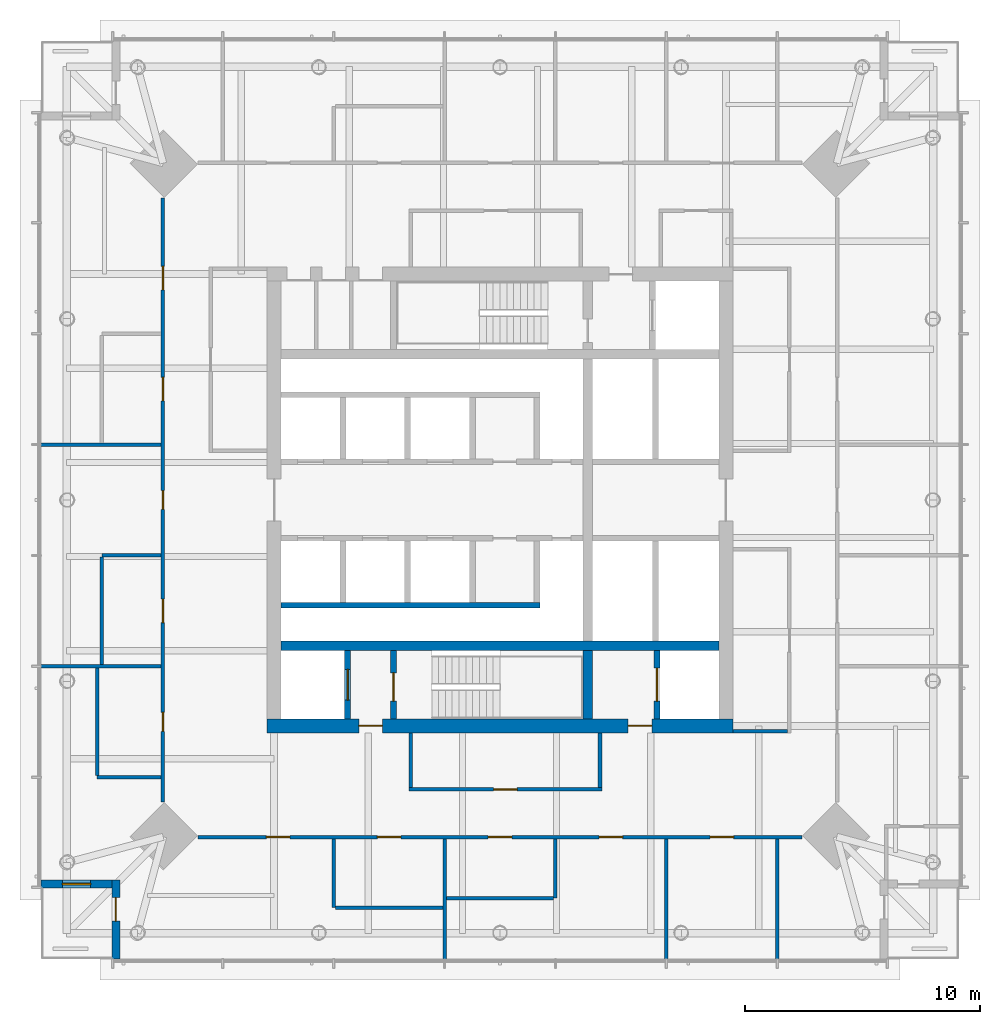
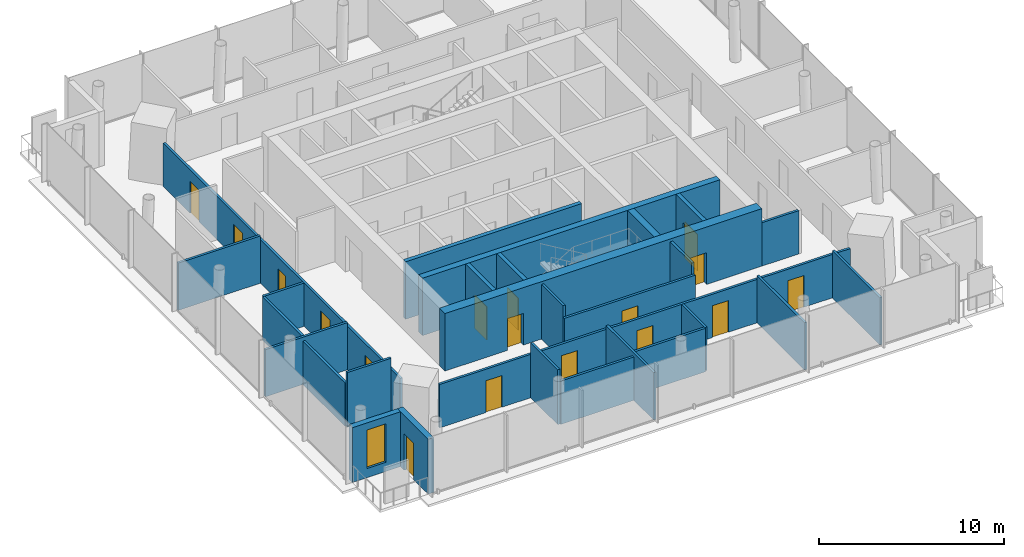
# One storey, part 4 of 11: 28 walls, 17 doors, 1 window, 18 openings.
"""IFC4 building model written with IfcOpenShell, lengths in metres."""

from ifc_helpers import new_model, si_unit, direction, frame, frame_2d, origin, place, context, subcontext, project, spatial, rectangle, extrude, material, layer, layer_set, type_object, element, fill, save


model = new_model("IFC4")

# Units and contexts
model_context = context("Model", 3, precision=1e-05, world=origin(), true_north=direction((0.0, 1.0)))
body_context = subcontext(model_context, "Body", "Model", "MODEL_VIEW")
ifc_project = project(units=[si_unit("LENGTHUNIT", "METRE"), si_unit("AREAUNIT", "SQUARE_METRE"), si_unit("VOLUMEUNIT", "CUBIC_METRE"), si_unit("PLANEANGLEUNIT", "RADIAN"), si_unit("MASSUNIT", "GRAM", prefix="KILO")], contexts=[model_context])

# Site, building, storey
site_placement = place(None, origin())
site = spatial("IfcSite", under=ifc_project, at=site_placement, CompositionType="ELEMENT")
building_placement = place(site_placement, origin())
building = spatial("IfcBuilding", under=site, at=building_placement, Name="Ostroluk Exchange", CompositionType="ELEMENT")
storey_placement = place(building_placement, frame((0.0, 0.0, 195.800048828125)))
storey = spatial("IfcBuildingStorey", under=building, at=storey_placement, Name="L50", CompositionType="ELEMENT", Elevation=195.800048828125)

# Walls
ifc_material_1 = material(Name="Concrete C50/60", Category="concrete")
ifc_layer_1 = layer(ifc_material_1, 0.39990234375)
ifc_layer_set_1 = layer_set([ifc_layer_1], Name="Core cross wall 400 C50/60")
wall_type_1 = type_object("IfcWallType", Name="Core cross wall 400 C50/60", PredefinedType="SHEAR", material=ifc_layer_set_1)
wall_1_placement = place(storey_placement, frame((35.699951171875, 39.800048828125, 0.0), z_axis=(0.0, 0.0, 1.0), x_axis=(1.0, 0.0, 0.0)))
element("IfcWall", 1, at=wall_1_placement, inside=storey, type_object=wall_type_1, Name="T1 core wall XS", PredefinedType="SHEAR", context=body_context, shape_type="SweptSolid", body=[
    extrude(rectangle(XDim=18.60009765625, YDim=0.39990234375, at=frame_2d((9.300048828125, 0.0))), origin(), (0.0, 0.0, 1.0), 3.800048828125),
])
wall_2_placement = place(storey_placement, frame((48.72998046875, 36.699951171875, 0.0), z_axis=(0.0, 0.0, 1.0), x_axis=(0.0, 1.0, 0.0)))
element("IfcWall", 2, at=wall_2_placement, inside=storey, type_object=wall_type_1, Name="T1 core wall YE1", PredefinedType="SHEAR", context=body_context, shape_type="SweptSolid", body=[
    extrude(rectangle(XDim=2.900146484375, YDim=0.39990234375, at=frame_2d((1.4501953125, 0.0))), origin(), (0.0, 0.0, 1.0), 3.800048828125),
])

# Wall, opening, door
ifc_material_2 = material(Name="Concrete C40/50", Category="concrete")
ifc_layer_2 = layer(ifc_material_2, 0.25)
ifc_layer_set_2 = layer_set([ifc_layer_2], Name="Core shaft wall 250")
wall_type_2 = type_object("IfcWallType", Name="Core shaft wall 250", PredefinedType="SHEAR", material=ifc_layer_set_2)
wall_3_placement = place(storey_placement, frame((38.52490234375, 36.699951171875, 0.0), z_axis=(0.0, 0.0, 1.0), x_axis=(0.0, 1.0, 0.0)))
wall_3 = element("IfcWall", 3, at=wall_3_placement, inside=storey, type_object=wall_type_2, Name="Firefighting lift shaft wall", PredefinedType="SHEAR", context=body_context, shape_type="SweptSolid", body=[
    extrude(rectangle(XDim=2.900146484375, YDim=0.25, at=frame_2d((1.4501953125, 0.0))), origin(), (0.0, 0.0, 1.0), 3.800048828125),
])
opening_1_placement = place(wall_3_placement, frame((0.800048828125, 0.0, 0.0)))
opening_1 = element("IfcOpeningElement", 4, at=opening_1_placement, cuts=wall_3, Name="Opening LD2", PredefinedType="OPENING", context=body_context, shape_type="SweptSolid", body=[
    extrude(rectangle(XDim=1.300048828125, YDim=2.199951171875, at=frame_2d((0.64990234375, 1.10009765625))), frame((0.0, 0.135009765625, 0.0), z_axis=(0.0, -1.0, 0.0), x_axis=(1.0, 0.0, 0.0)), (0.0, 0.0, 1.0), 0.27001953125),
])
ifc_material_3 = material(Name="Stainless steel", Category="steel")
door_type_1 = type_object("IfcDoorType", Name="Lift landing door E 60 1300 x 2200", OperationType="DOUBLE_DOOR_SLIDING", PredefinedType="DOOR", material=ifc_material_3)
door_1_placement = place(opening_1_placement, origin())
door_1 = element("IfcDoor", 5, at=door_1_placement, inside=storey, type_object=door_type_1, Name="Lift FL1 landing door", OperationType="DOUBLE_DOOR_SLIDING", OverallHeight=2.199951171875, OverallWidth=1.300048828125, PredefinedType="DOOR", context=body_context, shape_type="SweptSolid", body=[
    extrude(rectangle(XDim=1.300048828125, YDim=2.199951171875, at=frame_2d((0.64990234375, 1.10009765625))), frame((0.0, 0.02490234375, 0.0), z_axis=(0.0, -1.0, 0.0), x_axis=(1.0, 0.0, 0.0)), (0.0, 0.0, 1.0), 0.050048828125),
])
fill(opening_1, door_1)

wall_4_placement = place(storey_placement, frame((40.47509765625, 36.699951171875, 0.0), z_axis=(0.0, 0.0, 1.0), x_axis=(0.0, 1.0, 0.0)))
wall_4 = element("IfcWall", 6, at=wall_4_placement, inside=storey, type_object=wall_type_2, Name="Stair shaft wall", PredefinedType="SHEAR", context=body_context, shape_type="SweptSolid", body=[
    extrude(rectangle(XDim=2.900146484375, YDim=0.25, at=frame_2d((1.4501953125, 0.0))), origin(), (0.0, 0.0, 1.0), 3.800048828125),
])
opening_2_placement = place(wall_4_placement, frame((0.75, 0.0, 0.0)))
opening_2 = element("IfcOpeningElement", 7, at=opening_2_placement, cuts=wall_4, Name="Opening FD60S", PredefinedType="OPENING", context=body_context, shape_type="SweptSolid", body=[
    extrude(rectangle(XDim=1.199951171875, YDim=2.10009765625, at=frame_2d((0.60009765625, 1.050048828125))), frame((0.0, 0.135009765625, 0.0), z_axis=(0.0, -1.0, 0.0), x_axis=(1.0, 0.0, 0.0)), (0.0, 0.0, 1.0), 0.27001953125),
])
ifc_material_4 = material(Name="Steel", Category="steel")
door_type_2 = type_object("IfcDoorType", Name="Stair door EI 60 1200 x 2100", OperationType="SINGLE_SWING_LEFT", PredefinedType="DOOR", material=ifc_material_4)
door_2_placement = place(opening_2_placement, origin())
door_2 = element("IfcDoor", 8, at=door_2_placement, inside=storey, type_object=door_type_2, Name="Stair T1-S1 door", OperationType="SINGLE_SWING_LEFT", OverallHeight=2.10009765625, OverallWidth=1.199951171875, PredefinedType="DOOR", context=body_context, shape_type="SweptSolid", body=[
    extrude(rectangle(XDim=1.199951171875, YDim=2.10009765625, at=frame_2d((0.60009765625, 1.050048828125))), frame((0.0, 0.02490234375, 0.0), z_axis=(0.0, -1.0, 0.0), x_axis=(1.0, 0.0, 0.0)), (0.0, 0.0, 1.0), 0.050048828125),
])
fill(opening_2, door_2)

wall_5_placement = place(storey_placement, frame((51.675048828125, 36.699951171875, 0.0), z_axis=(0.0, 0.0, 1.0), x_axis=(0.0, 1.0, 0.0)))
wall_5 = element("IfcWall", 9, at=wall_5_placement, inside=storey, type_object=wall_type_2, Name="Service lift shaft wall", PredefinedType="SHEAR", context=body_context, shape_type="SweptSolid", body=[
    extrude(rectangle(XDim=2.900146484375, YDim=0.25, at=frame_2d((1.4501953125, 0.0))), origin(), (0.0, 0.0, 1.0), 3.800048828125),
])
opening_3_placement = place(wall_5_placement, frame((0.75, 0.0, 0.0)))
opening_3 = element("IfcOpeningElement", 10, at=opening_3_placement, cuts=wall_5, Name="Opening LD3", PredefinedType="OPENING", context=body_context, shape_type="SweptSolid", body=[
    extrude(rectangle(XDim=1.39990234375, YDim=2.39990234375, at=frame_2d((0.699951171875, 1.199951171875))), frame((0.0, 0.135009765625, 0.0), z_axis=(0.0, -1.0, 0.0), x_axis=(1.0, 0.0, 0.0)), (0.0, 0.0, 1.0), 0.27001953125),
])
ifc_material_5 = material(Name="Stainless steel", Category="steel")
door_type_3 = type_object("IfcDoorType", Name="Goods lift landing door E 60 1400 x 2400", OperationType="DOUBLE_DOOR_SLIDING", PredefinedType="DOOR", material=ifc_material_5)
door_3_placement = place(opening_3_placement, origin())
door_3 = element("IfcDoor", 11, at=door_3_placement, inside=storey, type_object=door_type_3, Name="Lift SL1 landing door", OperationType="DOUBLE_DOOR_SLIDING", OverallHeight=2.39990234375, OverallWidth=1.39990234375, PredefinedType="DOOR", context=body_context, shape_type="SweptSolid", body=[
    extrude(rectangle(XDim=1.39990234375, YDim=2.39990234375, at=frame_2d((0.699951171875, 1.199951171875))), frame((0.0, 0.02490234375, 0.0), z_axis=(0.0, -1.0, 0.0), x_axis=(1.0, 0.0, 0.0)), (0.0, 0.0, 1.0), 0.050048828125),
])
fill(opening_3, door_3)

# Wall
wall_6_placement = place(storey_placement, frame((35.699951171875, 41.52490234375, 0.0), z_axis=(0.0, 0.0, 1.0), x_axis=(1.0, 0.0, 0.0)))
element("IfcWall", 12, at=wall_6_placement, inside=storey, type_object=wall_type_2, Name="Lift shaft wall", PredefinedType="SHEAR", context=body_context, shape_type="SweptSolid", body=[
    extrude(rectangle(XDim=11.0, YDim=0.25, at=frame_2d((5.5, 0.0))), origin(), (0.0, 0.0, 1.0), 3.800048828125),
])

# Wall, openings, doors
ifc_material_6 = material(Name="Concrete C50/60", Category="concrete")
ifc_layer_3 = layer(ifc_material_6, 0.60009765625)
ifc_layer_set_3 = layer_set([ifc_layer_3], Name="Core wall 600 C50/60")
wall_type_3 = type_object("IfcWallType", Name="Core wall 600 C50/60", PredefinedType="SHEAR", material=ifc_layer_set_3)
wall_7_placement = place(storey_placement, frame((35.10009765625, 36.39990234375, 0.0), z_axis=(0.0, 0.0, 1.0), x_axis=(1.0, 0.0, 0.0)))
wall_7 = element("IfcWall", 13, at=wall_7_placement, inside=storey, type_object=wall_type_3, Name="T1 core wall S", PredefinedType="SHEAR", context=body_context, shape_type="SweptSolid", body=[
    extrude(rectangle(XDim=19.7998046875, YDim=0.60009765625, at=frame_2d((9.89990234375, 0.0))), origin(), (0.0, 0.0, 1.0), 3.800048828125),
])
opening_4_placement = place(wall_7_placement, frame((3.89990234375, 0.0, 0.0)))
opening_4 = element("IfcOpeningElement", 14, at=opening_4_placement, cuts=wall_7, Name="Opening FD60", PredefinedType="OPENING", context=body_context, shape_type="SweptSolid", body=[
    extrude(rectangle(XDim=1.0, YDim=2.10009765625, at=frame_2d((0.5, 1.050048828125))), frame((0.0, 0.31005859375, 0.0), z_axis=(0.0, -1.0, 0.0), x_axis=(1.0, 0.0, 0.0)), (0.0, 0.0, 1.0), 0.6201171875),
])
opening_5_placement = place(wall_7_placement, frame((15.35009765625, 0.0, 0.0)))
opening_5 = element("IfcOpeningElement", 15, at=opening_5_placement, cuts=wall_7, Name="Opening FD60", PredefinedType="OPENING", context=body_context, shape_type="SweptSolid", body=[
    extrude(rectangle(XDim=1.0, YDim=2.10009765625, at=frame_2d((0.5, 1.050048828125))), frame((0.0, 0.31005859375, 0.0), z_axis=(0.0, -1.0, 0.0), x_axis=(1.0, 0.0, 0.0)), (0.0, 0.0, 1.0), 0.6201171875),
])
ifc_material_7 = material(Name="Steel", Category="steel")
door_type_4 = type_object("IfcDoorType", Name="Fire door EI 60 1000 x 2100", OperationType="SINGLE_SWING_LEFT", PredefinedType="DOOR", material=ifc_material_7)
door_4_placement = place(opening_4_placement, origin())
door_4 = element("IfcDoor", 16, at=door_4_placement, inside=storey, type_object=door_type_4, Name="Firefighting lobby door", OperationType="SINGLE_SWING_LEFT", OverallHeight=2.10009765625, OverallWidth=1.0, PredefinedType="DOOR", context=body_context, shape_type="SweptSolid", body=[
    extrude(rectangle(XDim=1.0, YDim=2.10009765625, at=frame_2d((0.5, 1.050048828125))), frame((0.0, 0.02490234375, 0.0), z_axis=(0.0, -1.0, 0.0), x_axis=(1.0, 0.0, 0.0)), (0.0, 0.0, 1.0), 0.050048828125),
])
fill(opening_4, door_4)
door_5_placement = place(opening_5_placement, origin())
door_5 = element("IfcDoor", 17, at=door_5_placement, inside=storey, type_object=door_type_4, Name="Service lobby door", OperationType="SINGLE_SWING_RIGHT", OverallHeight=2.10009765625, OverallWidth=1.0, PredefinedType="DOOR", context=body_context, shape_type="SweptSolid", body=[
    extrude(rectangle(XDim=1.0, YDim=2.10009765625, at=frame_2d((0.5, 1.050048828125))), frame((0.0, 0.02490234375, 0.0), z_axis=(0.0, -1.0, 0.0), x_axis=(1.0, 0.0, 0.0)), (0.0, 0.0, 1.0), 0.050048828125),
])
fill(opening_5, door_5)

# Wall, opening, door
ifc_material_8 = material(Name="Limestone", Category="masonry")
ifc_layer_4 = layer(ifc_material_8, 0.35009765625)
ifc_layer_set_4 = layer_set([ifc_layer_4], Name="Limestone facade wall 350")
wall_type_4 = type_object("IfcWallType", Name="Limestone facade wall 350", PredefinedType="SOLIDWALL", material=ifc_layer_set_4)
wall_8_placement = place(storey_placement, frame((28.675048828125, 26.5, 0.0), z_axis=(0.0, 0.0, 1.0), x_axis=(0.0, 1.0, 0.0)))
wall_8 = element("IfcWall", 18, at=wall_8_placement, inside=storey, type_object=wall_type_4, Name="Office tower SW corner wall L50 a", PredefinedType="SOLIDWALL", context=body_context, shape_type="SweptSolid", body=[
    extrude(rectangle(XDim=3.35009765625, YDim=0.35009765625, at=frame_2d((1.675048828125, 0.0))), origin(), (0.0, 0.0, 1.0), 3.619873046875),
])
opening_6_placement = place(wall_8_placement, frame((1.60009765625, 0.0, 0.0)))
opening_6 = element("IfcOpeningElement", 19, at=opening_6_placement, cuts=wall_8, Name="Opening D-B1", PredefinedType="OPENING", context=body_context, shape_type="SweptSolid", body=[
    extrude(rectangle(XDim=1.0, YDim=2.39990234375, at=frame_2d((0.5, 1.199951171875))), frame((0.0, 0.18505859375, 0.0), z_axis=(0.0, -1.0, 0.0), x_axis=(1.0, 0.0, 0.0)), (0.0, 0.0, 1.0), 0.3701171875),
])
ifc_material_9 = material(Name="Bronze framed glazed door", Category="aluminium")
door_type_5 = type_object("IfcDoorType", Name="Balcony door 1000 x 2400", OperationType="SINGLE_SWING_LEFT", PredefinedType="DOOR", material=ifc_material_9)
door_6_placement = place(opening_6_placement, origin())
door_6 = element("IfcDoor", 20, at=door_6_placement, inside=storey, type_object=door_type_5, Name="Office tower SW balcony door L50", OperationType="SINGLE_SWING_RIGHT", OverallHeight=2.39990234375, OverallWidth=1.0, PredefinedType="DOOR", context=body_context, shape_type="SweptSolid", body=[
    extrude(rectangle(XDim=1.0, YDim=2.39990234375, at=frame_2d((0.5, 1.199951171875))), frame((0.0, 0.02490234375, 0.0), z_axis=(0.0, -1.0, 0.0), x_axis=(1.0, 0.0, 0.0)), (0.0, 0.0, 1.0), 0.050048828125),
])
fill(opening_6, door_6)

# Wall, opening, window
wall_9_placement = place(storey_placement, frame((28.5, 29.675048828125, 0.0), z_axis=(0.0, 0.0, 1.0), x_axis=(-1.0, 0.0, 0.0)))
wall_9 = element("IfcWall", 21, at=wall_9_placement, inside=storey, type_object=wall_type_4, Name="Office tower SW corner wall L50 b", PredefinedType="SOLIDWALL", context=body_context, shape_type="SweptSolid", body=[
    extrude(rectangle(XDim=3.0, YDim=0.35009765625, at=frame_2d((1.5, 0.0))), origin(), (0.0, 0.0, 1.0), 3.619873046875),
])
opening_7_placement = place(wall_9_placement, frame((0.89990234375, 0.0, 0.60009765625)))
opening_7 = element("IfcOpeningElement", 22, at=opening_7_placement, cuts=wall_9, Name="Opening WN-L1", PredefinedType="OPENING", context=body_context, shape_type="SweptSolid", body=[
    extrude(rectangle(XDim=1.199951171875, YDim=2.550048828125, at=frame_2d((0.60009765625, 1.27490234375))), frame((0.0, 0.18505859375, 0.0), z_axis=(0.0, -1.0, 0.0), x_axis=(1.0, 0.0, 0.0)), (0.0, 0.0, 1.0), 0.3701171875),
])
ifc_material_10 = material(Name="Laminated clear glass", Category="glass")
window_type = type_object("IfcWindowType", Name="Lancet window 1200 x 2550", PartitioningType="SINGLE_PANEL", PredefinedType="WINDOW", material=ifc_material_10)
window_placement = place(opening_7_placement, origin())
window = element("IfcWindow", 23, at=window_placement, inside=storey, type_object=window_type, Name="Office tower SW lancet window L50", OverallHeight=2.550048828125, OverallWidth=1.199951171875, PartitioningType="SINGLE_PANEL", PredefinedType="WINDOW", context=body_context, shape_type="SweptSolid", body=[
    extrude(rectangle(XDim=1.199951171875, YDim=2.550048828125, at=frame_2d((0.60009765625, 1.27490234375))), frame((0.0, 0.030029296875, 0.0), z_axis=(0.0, -1.0, 0.0), x_axis=(1.0, 0.0, 0.0)), (0.0, 0.0, 1.0), 0.06005859375),
])
fill(opening_7, window)

# Wall
ifc_material_11 = material(Name="Gypsum plasterboard partition", Category="gypsum")
ifc_layer_5 = layer(ifc_material_11, 0.14990234375)
ifc_layer_set_5 = layer_set([ifc_layer_5], Name="Plasterboard partition 150")
wall_type_5 = type_object("IfcWallType", Name="Plasterboard partition 150", PredefinedType="PARTITIONING", material=ifc_layer_set_5)
wall_10_placement = place(storey_placement, frame((54.89990234375, 36.175048828125, 0.0), z_axis=(0.0, 0.0, 1.0), x_axis=(1.0, 0.0, 0.0)))
element("IfcWall", 24, at=wall_10_placement, inside=storey, type_object=wall_type_5, Name="Partition", PredefinedType="PARTITIONING", context=body_context, shape_type="SweptSolid", body=[
    extrude(rectangle(XDim=2.3251953125, YDim=0.14990234375, at=frame_2d((1.16259765625, 0.0))), origin(), (0.0, 0.0, 1.0), 2.866943359375),
])

# Wall, opening, door
wall_11_placement = place(storey_placement, frame((41.125, 33.699951171875, 0.0), z_axis=(0.0, 0.0, 1.0), x_axis=(1.0, 0.0, 0.0)))
wall_11 = element("IfcWall", 25, at=wall_11_placement, inside=storey, type_object=wall_type_5, Name="Partition", PredefinedType="PARTITIONING", context=body_context, shape_type="SweptSolid", body=[
    extrude(rectangle(XDim=8.199951171875, YDim=0.14990234375, at=frame_2d((4.10009765625, 0.0))), origin(), (0.0, 0.0, 1.0), 2.866943359375),
])
opening_8_placement = place(wall_11_placement, frame((3.60009765625, 0.0, 0.0)))
opening_8 = element("IfcOpeningElement", 26, at=opening_8_placement, cuts=wall_11, Name="Opening D-03", PredefinedType="OPENING", context=body_context, shape_type="SweptSolid", body=[
    extrude(rectangle(XDim=1.0, YDim=2.10009765625, at=frame_2d((0.5, 1.050048828125))), frame((0.0, 0.0849609375, 0.0), z_axis=(0.0, -1.0, 0.0), x_axis=(1.0, 0.0, 0.0)), (0.0, 0.0, 1.0), 0.169921875),
])
ifc_material_12 = material(Name="Timber", Category="wood")
door_type_6 = type_object("IfcDoorType", Name="Internal door 1000 x 2100", OperationType="SINGLE_SWING_LEFT", PredefinedType="DOOR", material=ifc_material_12)
door_7_placement = place(opening_8_placement, origin())
door_7 = element("IfcDoor", 27, at=door_7_placement, inside=storey, type_object=door_type_6, Name="Quiet room door", OperationType="SINGLE_SWING_LEFT", OverallHeight=2.10009765625, OverallWidth=1.0, PredefinedType="DOOR", context=body_context, shape_type="SweptSolid", body=[
    extrude(rectangle(XDim=1.0, YDim=2.10009765625, at=frame_2d((0.5, 1.050048828125))), frame((0.0, 0.02490234375, 0.0), z_axis=(0.0, -1.0, 0.0), x_axis=(1.0, 0.0, 0.0)), (0.0, 0.0, 1.0), 0.050048828125),
])
fill(opening_8, door_7)

# Walls
for number, where, z_axis, x_axis, name in (
    (28, (41.199951171875, 36.10009765625, 0.0), (0.0, 0.0, 1.0), (0.0, -1.0, 0.0), "Partition"),
    (29, (49.25, 36.10009765625, 0.0), (0.0, 0.0, 1.0), (0.0, -1.0, 0.0), "Partition"),
):
    element("IfcWall", number, at=place(storey_placement, frame(where, z_axis=z_axis, x_axis=x_axis)), inside=storey, type_object=wall_type_5, Name=name, PredefinedType="PARTITIONING", context=body_context, shape_type="SweptSolid", body=[
        extrude(rectangle(XDim=2.3251953125, YDim=0.14990234375, at=frame_2d((1.16259765625, 0.0))), origin(), (0.0, 0.0, 1.0), 3.619873046875),
    ])

# Wall, openings, doors
wall_12_placement = place(storey_placement, frame((30.675048828125, 58.835693359375, 0.0), z_axis=(0.0, 0.0, 1.0), x_axis=(0.0, -1.0, 0.0)))
wall_12 = element("IfcWall", 30, at=wall_12_placement, inside=storey, type_object=wall_type_5, Name="Partition", PredefinedType="PARTITIONING", context=body_context, shape_type="SweptSolid", body=[
    extrude(rectangle(XDim=25.67138671875, YDim=0.14990234375, at=frame_2d((12.835693359375, 0.0))), origin(), (0.0, 0.0, 1.0), 2.866943359375),
])
opening_9_placement = place(wall_12_placement, frame((2.9072265625, 0.0, 0.0)))
opening_9 = element("IfcOpeningElement", 31, at=opening_9_placement, cuts=wall_12, Name="Opening D-03", PredefinedType="OPENING", context=body_context, shape_type="SweptSolid", body=[
    extrude(rectangle(XDim=1.0, YDim=2.10009765625, at=frame_2d((0.5, 1.050048828125))), frame((0.0, 0.0849609375, 0.0), z_axis=(0.0, -1.0, 0.0), x_axis=(1.0, 0.0, 0.0)), (0.0, 0.0, 1.0), 0.169921875),
])
opening_10_placement = place(wall_12_placement, frame((7.62158203125, 0.0, 0.0)))
opening_10 = element("IfcOpeningElement", 32, at=opening_10_placement, cuts=wall_12, Name="Opening D-03", PredefinedType="OPENING", context=body_context, shape_type="SweptSolid", body=[
    extrude(rectangle(XDim=1.0, YDim=2.10009765625, at=frame_2d((0.5, 1.050048828125))), frame((0.0, 0.0849609375, 0.0), z_axis=(0.0, -1.0, 0.0), x_axis=(1.0, 0.0, 0.0)), (0.0, 0.0, 1.0), 0.169921875),
])
opening_11_placement = place(wall_12_placement, frame((12.435791015625, 0.0, 0.0)))
opening_11 = element("IfcOpeningElement", 33, at=opening_11_placement, cuts=wall_12, Name="Opening D-06", PredefinedType="OPENING", context=body_context, shape_type="SweptSolid", body=[
    extrude(rectangle(XDim=0.800048828125, YDim=2.10009765625, at=frame_2d((0.39990234375, 1.050048828125))), frame((0.0, 0.0849609375, 0.0), z_axis=(0.0, -1.0, 0.0), x_axis=(1.0, 0.0, 0.0)), (0.0, 0.0, 1.0), 0.169921875),
])
opening_12_placement = place(wall_12_placement, frame((17.050048828125, 0.0, 0.0)))
opening_12 = element("IfcOpeningElement", 34, at=opening_12_placement, cuts=wall_12, Name="Opening D-03", PredefinedType="OPENING", context=body_context, shape_type="SweptSolid", body=[
    extrude(rectangle(XDim=1.0, YDim=2.10009765625, at=frame_2d((0.5, 1.050048828125))), frame((0.0, 0.0849609375, 0.0), z_axis=(0.0, -1.0, 0.0), x_axis=(1.0, 0.0, 0.0)), (0.0, 0.0, 1.0), 0.169921875),
])
opening_13_placement = place(wall_12_placement, frame((21.8642578125, 0.0, 0.0)))
opening_13 = element("IfcOpeningElement", 35, at=opening_13_placement, cuts=wall_12, Name="Opening D-06", PredefinedType="OPENING", context=body_context, shape_type="SweptSolid", body=[
    extrude(rectangle(XDim=0.800048828125, YDim=2.10009765625, at=frame_2d((0.39990234375, 1.050048828125))), frame((0.0, 0.0849609375, 0.0), z_axis=(0.0, -1.0, 0.0), x_axis=(1.0, 0.0, 0.0)), (0.0, 0.0, 1.0), 0.169921875),
])
door_8_placement = place(opening_9_placement, origin())
door_8 = element("IfcDoor", 36, at=door_8_placement, inside=storey, type_object=door_type_6, Name="Office suite door", OperationType="SINGLE_SWING_LEFT", OverallHeight=2.10009765625, OverallWidth=1.0, PredefinedType="DOOR", context=body_context, shape_type="SweptSolid", body=[
    extrude(rectangle(XDim=1.0, YDim=2.10009765625, at=frame_2d((0.5, 1.050048828125))), frame((0.0, 0.02490234375, 0.0), z_axis=(0.0, -1.0, 0.0), x_axis=(1.0, 0.0, 0.0)), (0.0, 0.0, 1.0), 0.050048828125),
])
fill(opening_9, door_8)
door_9_placement = place(opening_10_placement, origin())
door_9 = element("IfcDoor", 37, at=door_9_placement, inside=storey, type_object=door_type_6, Name="Pantry door", OperationType="SINGLE_SWING_LEFT", OverallHeight=2.10009765625, OverallWidth=1.0, PredefinedType="DOOR", context=body_context, shape_type="SweptSolid", body=[
    extrude(rectangle(XDim=1.0, YDim=2.10009765625, at=frame_2d((0.5, 1.050048828125))), frame((0.0, 0.02490234375, 0.0), z_axis=(0.0, -1.0, 0.0), x_axis=(1.0, 0.0, 0.0)), (0.0, 0.0, 1.0), 0.050048828125),
])
fill(opening_10, door_9)
door_10_placement = place(opening_12_placement, origin())
door_10 = element("IfcDoor", 38, at=door_10_placement, inside=storey, type_object=door_type_6, Name="Accessible WC door", OperationType="SINGLE_SWING_RIGHT", OverallHeight=2.10009765625, OverallWidth=1.0, PredefinedType="DOOR", context=body_context, shape_type="SweptSolid", body=[
    extrude(rectangle(XDim=1.0, YDim=2.10009765625, at=frame_2d((0.5, 1.050048828125))), frame((0.0, 0.02490234375, 0.0), z_axis=(0.0, -1.0, 0.0), x_axis=(1.0, 0.0, 0.0)), (0.0, 0.0, 1.0), 0.050048828125),
])
fill(opening_12, door_10)
ifc_material_13 = material(Name="Timber", Category="wood")
door_type_7 = type_object("IfcDoorType", Name="Toilet door 800 x 2100", OperationType="SINGLE_SWING_LEFT", PredefinedType="DOOR", material=ifc_material_13)
door_11_placement = place(opening_11_placement, origin())
door_11 = element("IfcDoor", 39, at=door_11_placement, inside=storey, type_object=door_type_7, Name="WC female door", OperationType="SINGLE_SWING_LEFT", OverallHeight=2.10009765625, OverallWidth=0.800048828125, PredefinedType="DOOR", context=body_context, shape_type="SweptSolid", body=[
    extrude(rectangle(XDim=0.800048828125, YDim=2.10009765625, at=frame_2d((0.39990234375, 1.050048828125))), frame((0.0, 0.02490234375, 0.0), z_axis=(0.0, -1.0, 0.0), x_axis=(1.0, 0.0, 0.0)), (0.0, 0.0, 1.0), 0.050048828125),
])
fill(opening_11, door_11)
door_12_placement = place(opening_13_placement, origin())
door_12 = element("IfcDoor", 40, at=door_12_placement, inside=storey, type_object=door_type_7, Name="WC male door", OperationType="SINGLE_SWING_RIGHT", OverallHeight=2.10009765625, OverallWidth=0.800048828125, PredefinedType="DOOR", context=body_context, shape_type="SweptSolid", body=[
    extrude(rectangle(XDim=0.800048828125, YDim=2.10009765625, at=frame_2d((0.39990234375, 1.050048828125))), frame((0.0, 0.02490234375, 0.0), z_axis=(0.0, -1.0, 0.0), x_axis=(1.0, 0.0, 0.0)), (0.0, 0.0, 1.0), 0.050048828125),
])
fill(opening_13, door_12)

# Walls
wall_13_placement = place(storey_placement, frame((30.60009765625, 48.357177734375, 0.0), z_axis=(0.0, 0.0, 1.0), x_axis=(-1.0, 0.0, 0.0)))
element("IfcWall", 41, at=wall_13_placement, inside=storey, type_object=wall_type_5, Name="Partition", PredefinedType="PARTITIONING", context=body_context, shape_type="SweptSolid", body=[
    extrude(rectangle(XDim=5.14013671875, YDim=0.14990234375, at=frame_2d((2.570068359375, 0.0))), origin(), (0.0, 0.0, 1.0), 3.119873046875),
])
wall_14_placement = place(storey_placement, frame((30.60009765625, 43.642822265625, 0.0), z_axis=(0.0, 0.0, 1.0), x_axis=(-1.0, 0.0, 0.0)))
element("IfcWall", 42, at=wall_14_placement, inside=storey, type_object=wall_type_5, Name="Partition", PredefinedType="PARTITIONING", context=body_context, shape_type="SweptSolid", body=[
    extrude(rectangle(XDim=2.525146484375, YDim=0.14990234375, at=frame_2d((1.2626953125, 0.0))), origin(), (0.0, 0.0, 1.0), 2.866943359375),
])
wall_15_placement = place(storey_placement, frame((30.60009765625, 38.928466796875, 0.0), z_axis=(0.0, 0.0, 1.0), x_axis=(-1.0, 0.0, 0.0)))
element("IfcWall", 43, at=wall_15_placement, inside=storey, type_object=wall_type_5, Name="Partition", PredefinedType="PARTITIONING", context=body_context, shape_type="SweptSolid", body=[
    extrude(rectangle(XDim=5.14013671875, YDim=0.14990234375, at=frame_2d((2.570068359375, 0.0))), origin(), (0.0, 0.0, 1.0), 3.119873046875),
])
wall_16_placement = place(storey_placement, frame((30.60009765625, 34.21435546875, 0.0), z_axis=(0.0, 0.0, 1.0), x_axis=(-1.0, 0.0, 0.0)))
element("IfcWall", 44, at=wall_16_placement, inside=storey, type_object=wall_type_5, Name="Partition", PredefinedType="PARTITIONING", context=body_context, shape_type="SweptSolid", body=[
    extrude(rectangle(XDim=2.72509765625, YDim=0.14990234375, at=frame_2d((1.362548828125, 0.0))), origin(), (0.0, 0.0, 1.0), 3.619873046875),
])
wall_17_placement = place(storey_placement, frame((38.003662109375, 28.675048828125, 0.0), z_axis=(0.0, 0.0, 1.0), x_axis=(1.0, 0.0, 0.0)))
element("IfcWall", 45, at=wall_17_placement, inside=storey, type_object=wall_type_5, Name="Partition", PredefinedType="PARTITIONING", context=body_context, shape_type="SweptSolid", body=[
    extrude(rectangle(XDim=4.564208984375, YDim=0.14990234375, at=frame_2d((2.2822265625, 0.0))), origin(), (0.0, 0.0, 1.0), 2.866943359375),
])
wall_18_placement = place(storey_placement, frame((42.7177734375, 29.074951171875, 0.0), z_axis=(0.0, 0.0, 1.0), x_axis=(1.0, 0.0, 0.0)))
element("IfcWall", 46, at=wall_18_placement, inside=storey, type_object=wall_type_5, Name="Partition", PredefinedType="PARTITIONING", context=body_context, shape_type="SweptSolid", body=[
    extrude(rectangle(XDim=4.564453125, YDim=0.14990234375, at=frame_2d((2.2822265625, 0.0))), origin(), (0.0, 0.0, 1.0), 2.866943359375),
])

# Wall, openings, doors
wall_19_placement = place(storey_placement, frame((32.164306640625, 31.675048828125, 0.0), z_axis=(0.0, 0.0, 1.0), x_axis=(1.0, 0.0, 0.0)))
wall_19 = element("IfcWall", 47, at=wall_19_placement, inside=storey, type_object=wall_type_5, Name="Partition", PredefinedType="PARTITIONING", context=body_context, shape_type="SweptSolid", body=[
    extrude(rectangle(XDim=25.67138671875, YDim=0.14990234375, at=frame_2d((12.835693359375, 0.0))), origin(), (0.0, 0.0, 1.0), 2.866943359375),
])
opening_14_placement = place(wall_19_placement, frame((2.9072265625, 0.0, 0.0)))
opening_14 = element("IfcOpeningElement", 48, at=opening_14_placement, cuts=wall_19, Name="Opening D-03", PredefinedType="OPENING", context=body_context, shape_type="SweptSolid", body=[
    extrude(rectangle(XDim=1.0, YDim=2.10009765625, at=frame_2d((0.5, 1.050048828125))), frame((0.0, 0.0849609375, 0.0), z_axis=(0.0, -1.0, 0.0), x_axis=(1.0, 0.0, 0.0)), (0.0, 0.0, 1.0), 0.169921875),
])
opening_15_placement = place(wall_19_placement, frame((7.62158203125, 0.0, 0.0)))
opening_15 = element("IfcOpeningElement", 49, at=opening_15_placement, cuts=wall_19, Name="Opening D-03", PredefinedType="OPENING", context=body_context, shape_type="SweptSolid", body=[
    extrude(rectangle(XDim=1.0, YDim=2.10009765625, at=frame_2d((0.5, 1.050048828125))), frame((0.0, 0.0849609375, 0.0), z_axis=(0.0, -1.0, 0.0), x_axis=(1.0, 0.0, 0.0)), (0.0, 0.0, 1.0), 0.169921875),
])
opening_16_placement = place(wall_19_placement, frame((12.335693359375, 0.0, 0.0)))
opening_16 = element("IfcOpeningElement", 50, at=opening_16_placement, cuts=wall_19, Name="Opening D-03", PredefinedType="OPENING", context=body_context, shape_type="SweptSolid", body=[
    extrude(rectangle(XDim=1.0, YDim=2.10009765625, at=frame_2d((0.5, 1.050048828125))), frame((0.0, 0.0849609375, 0.0), z_axis=(0.0, -1.0, 0.0), x_axis=(1.0, 0.0, 0.0)), (0.0, 0.0, 1.0), 0.169921875),
])
opening_17_placement = place(wall_19_placement, frame((17.050048828125, 0.0, 0.0)))
opening_17 = element("IfcOpeningElement", 51, at=opening_17_placement, cuts=wall_19, Name="Opening D-03", PredefinedType="OPENING", context=body_context, shape_type="SweptSolid", body=[
    extrude(rectangle(XDim=1.0, YDim=2.10009765625, at=frame_2d((0.5, 1.050048828125))), frame((0.0, 0.0849609375, 0.0), z_axis=(0.0, -1.0, 0.0), x_axis=(1.0, 0.0, 0.0)), (0.0, 0.0, 1.0), 0.169921875),
])
opening_18_placement = place(wall_19_placement, frame((21.764404296875, 0.0, 0.0)))
opening_18 = element("IfcOpeningElement", 52, at=opening_18_placement, cuts=wall_19, Name="Opening D-03", PredefinedType="OPENING", context=body_context, shape_type="SweptSolid", body=[
    extrude(rectangle(XDim=1.0, YDim=2.10009765625, at=frame_2d((0.5, 1.050048828125))), frame((0.0, 0.0849609375, 0.0), z_axis=(0.0, -1.0, 0.0), x_axis=(1.0, 0.0, 0.0)), (0.0, 0.0, 1.0), 0.169921875),
])
door_13_placement = place(opening_14_placement, origin())
door_13 = element("IfcDoor", 53, at=door_13_placement, inside=storey, type_object=door_type_6, Name="Office suite door", OperationType="SINGLE_SWING_LEFT", OverallHeight=2.10009765625, OverallWidth=1.0, PredefinedType="DOOR", context=body_context, shape_type="SweptSolid", body=[
    extrude(rectangle(XDim=1.0, YDim=2.10009765625, at=frame_2d((0.5, 1.050048828125))), frame((0.0, 0.02490234375, 0.0), z_axis=(0.0, -1.0, 0.0), x_axis=(1.0, 0.0, 0.0)), (0.0, 0.0, 1.0), 0.050048828125),
])
fill(opening_14, door_13)
door_14_placement = place(opening_15_placement, origin())
door_14 = element("IfcDoor", 54, at=door_14_placement, inside=storey, type_object=door_type_6, Name="Focus room door", OperationType="SINGLE_SWING_LEFT", OverallHeight=2.10009765625, OverallWidth=1.0, PredefinedType="DOOR", context=body_context, shape_type="SweptSolid", body=[
    extrude(rectangle(XDim=1.0, YDim=2.10009765625, at=frame_2d((0.5, 1.050048828125))), frame((0.0, 0.02490234375, 0.0), z_axis=(0.0, -1.0, 0.0), x_axis=(1.0, 0.0, 0.0)), (0.0, 0.0, 1.0), 0.050048828125),
])
fill(opening_15, door_14)
door_15_placement = place(opening_16_placement, origin())
door_15 = element("IfcDoor", 55, at=door_15_placement, inside=storey, type_object=door_type_6, Name="Pantry door", OperationType="SINGLE_SWING_LEFT", OverallHeight=2.10009765625, OverallWidth=1.0, PredefinedType="DOOR", context=body_context, shape_type="SweptSolid", body=[
    extrude(rectangle(XDim=1.0, YDim=2.10009765625, at=frame_2d((0.5, 1.050048828125))), frame((0.0, 0.02490234375, 0.0), z_axis=(0.0, -1.0, 0.0), x_axis=(1.0, 0.0, 0.0)), (0.0, 0.0, 1.0), 0.050048828125),
])
fill(opening_16, door_15)
door_16_placement = place(opening_17_placement, origin())
door_16 = element("IfcDoor", 56, at=door_16_placement, inside=storey, type_object=door_type_6, Name="Office door", OperationType="SINGLE_SWING_RIGHT", OverallHeight=2.10009765625, OverallWidth=1.0, PredefinedType="DOOR", context=body_context, shape_type="SweptSolid", body=[
    extrude(rectangle(XDim=1.0, YDim=2.10009765625, at=frame_2d((0.5, 1.050048828125))), frame((0.0, 0.02490234375, 0.0), z_axis=(0.0, -1.0, 0.0), x_axis=(1.0, 0.0, 0.0)), (0.0, 0.0, 1.0), 0.050048828125),
])
fill(opening_17, door_16)
door_17_placement = place(opening_18_placement, origin())
door_17 = element("IfcDoor", 57, at=door_17_placement, inside=storey, type_object=door_type_6, Name="Office door", OperationType="SINGLE_SWING_RIGHT", OverallHeight=2.10009765625, OverallWidth=1.0, PredefinedType="DOOR", context=body_context, shape_type="SweptSolid", body=[
    extrude(rectangle(XDim=1.0, YDim=2.10009765625, at=frame_2d((0.5, 1.050048828125))), frame((0.0, 0.02490234375, 0.0), z_axis=(0.0, -1.0, 0.0), x_axis=(1.0, 0.0, 0.0)), (0.0, 0.0, 1.0), 0.050048828125),
])
fill(opening_18, door_17)

# Walls
wall_20_placement = place(storey_placement, frame((37.928466796875, 31.60009765625, 0.0), z_axis=(0.0, 0.0, 1.0), x_axis=(0.0, -1.0, 0.0)))
element("IfcWall", 58, at=wall_20_placement, inside=storey, type_object=wall_type_5, Name="Partition", PredefinedType="PARTITIONING", context=body_context, shape_type="SweptSolid", body=[
    extrude(rectangle(XDim=2.925048828125, YDim=0.14990234375, at=frame_2d((1.46240234375, 0.0))), origin(), (0.0, 0.0, 1.0), 3.619873046875),
])
wall_21_placement = place(storey_placement, frame((42.642822265625, 31.60009765625, 0.0), z_axis=(0.0, 0.0, 1.0), x_axis=(0.0, -1.0, 0.0)))
element("IfcWall", 59, at=wall_21_placement, inside=storey, type_object=wall_type_5, Name="Partition", PredefinedType="PARTITIONING", context=body_context, shape_type="SweptSolid", body=[
    extrude(rectangle(XDim=5.14013671875, YDim=0.14990234375, at=frame_2d((2.570068359375, 0.0))), origin(), (0.0, 0.0, 1.0), 3.119873046875),
])
wall_22_placement = place(storey_placement, frame((47.357177734375, 31.60009765625, 0.0), z_axis=(0.0, 0.0, 1.0), x_axis=(0.0, -1.0, 0.0)))
element("IfcWall", 60, at=wall_22_placement, inside=storey, type_object=wall_type_5, Name="Partition", PredefinedType="PARTITIONING", context=body_context, shape_type="SweptSolid", body=[
    extrude(rectangle(XDim=2.525146484375, YDim=0.14990234375, at=frame_2d((1.2626953125, 0.0))), origin(), (0.0, 0.0, 1.0), 2.866943359375),
])
for number, where, z_axis, x_axis, name in (
    (61, (52.071533203125, 31.60009765625, 0.0), (0.0, 0.0, 1.0), (0.0, -1.0, 0.0), "Partition"),
    (62, (56.78564453125, 31.60009765625, 0.0), (0.0, 0.0, 1.0), (0.0, -1.0, 0.0), "Partition"),
):
    element("IfcWall", number, at=place(storey_placement, frame(where, z_axis=z_axis, x_axis=x_axis)), inside=storey, type_object=wall_type_5, Name=name, PredefinedType="PARTITIONING", context=body_context, shape_type="SweptSolid", body=[
        extrude(rectangle(XDim=5.14013671875, YDim=0.14990234375, at=frame_2d((2.570068359375, 0.0))), origin(), (0.0, 0.0, 1.0), 3.119873046875),
    ])
ifc_material_14 = material(Name="Gypsum plasterboard partition, moisture resistant", Category="gypsum")
ifc_layer_6 = layer(ifc_material_14, 0.14990234375)
ifc_layer_set_6 = layer_set([ifc_layer_6], Name="Plasterboard toilet partition 150")
wall_type_6 = type_object("IfcWallType", Name="Plasterboard toilet partition 150", PredefinedType="PARTITIONING", material=ifc_layer_set_6)
for number, where, z_axis, x_axis, name in (
    (63, (28.074951171875, 43.56787109375, 0.0), (0.0, 0.0, 1.0), (0.0, -1.0, 0.0), "Toilet partition"),
    (64, (27.875, 38.853515625, 0.0), (0.0, 0.0, 1.0), (0.0, -1.0, 0.0), "Toilet partition"),
):
    element("IfcWall", number, at=place(storey_placement, frame(where, z_axis=z_axis, x_axis=x_axis)), inside=storey, type_object=wall_type_6, Name=name, PredefinedType="PARTITIONING", context=body_context, shape_type="SweptSolid", body=[
        extrude(rectangle(XDim=4.564208984375, YDim=0.14990234375, at=frame_2d((2.2822265625, 0.0))), origin(), (0.0, 0.0, 1.0), 2.866943359375),
    ])

save(model, "model.ifc")
